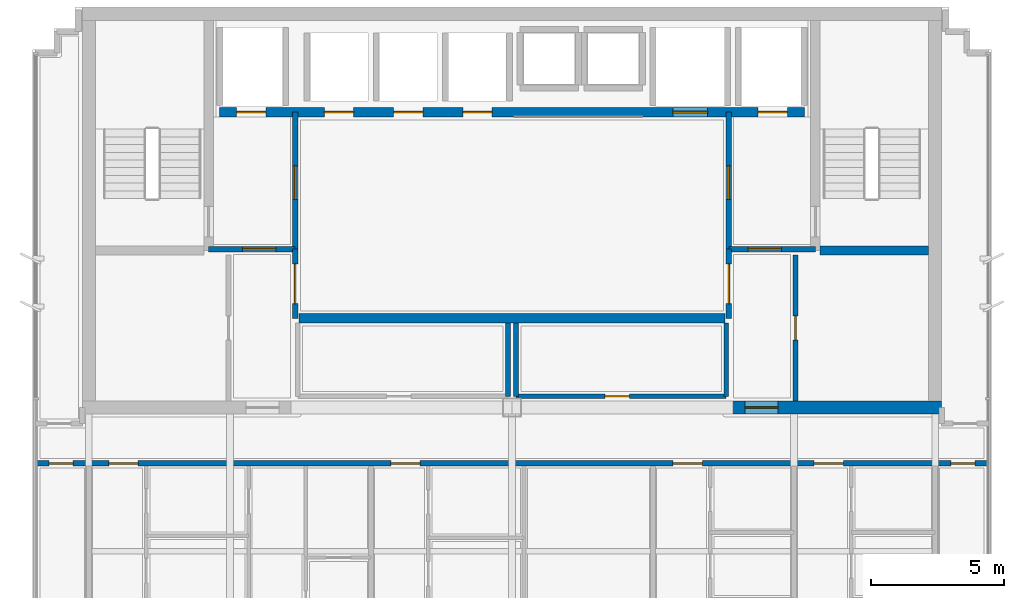
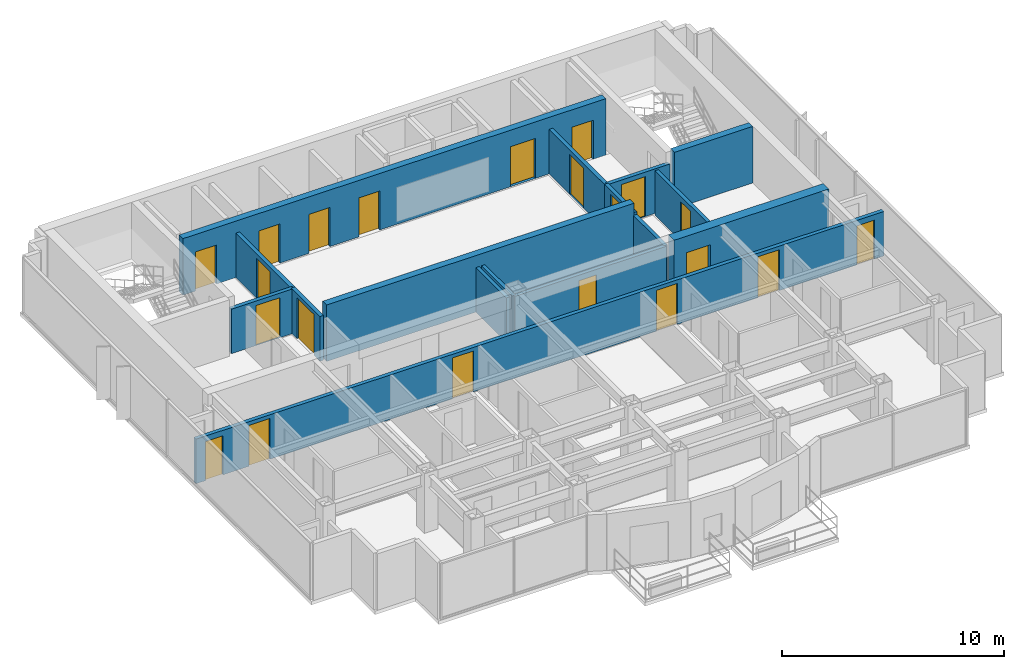
# One storey, part 7 of 10: 21 doors, 16 walls, 21 openings.
"""IFC4 building model written with IfcOpenShell, lengths in metres."""

from ifc_helpers import new_model, si_unit, direction, frame, frame_2d, origin, place, context, subcontext, project, spatial, rectangle, extrude, material, layer, layer_set, type_object, element, fill, save


model = new_model("IFC4")

# Units and contexts
model_context = context("Model", 3, precision=1e-05, world=origin(), true_north=direction((0.0, 1.0)))
body_context = subcontext(model_context, "Body", "Model", "MODEL_VIEW")
ifc_project = project(units=[si_unit("LENGTHUNIT", "METRE"), si_unit("AREAUNIT", "SQUARE_METRE"), si_unit("VOLUMEUNIT", "CUBIC_METRE"), si_unit("PLANEANGLEUNIT", "RADIAN"), si_unit("MASSUNIT", "GRAM", prefix="KILO")], contexts=[model_context])

# Site, building, storey
site_placement = place(None, origin())
site = spatial("IfcSite", under=ifc_project, at=site_placement, CompositionType="ELEMENT")
building_placement = place(site_placement, origin())
building = spatial("IfcBuilding", under=site, at=building_placement, Name="Qianlan Lanfeng Residences", CompositionType="ELEMENT")
storey_placement = place(building_placement, frame((0.0, 0.0, 239.60009765625)))
storey = spatial("IfcBuildingStorey", under=building, at=storey_placement, Name="L66", CompositionType="ELEMENT", Elevation=239.60009765625)

# Wall
ifc_material_1 = material(Name="Concrete C49", Category="concrete")
ifc_layer_1 = layer(ifc_material_1, 0.35009765625)
ifc_layer_set_1 = layer_set([ifc_layer_1], Name="Concrete C49")
wall_type_1 = type_object("IfcWallType", Name="CW-RC-350", PredefinedType="SHEAR", material=ifc_layer_set_1)
wall_1_placement = place(storey_placement, frame((38.074951171875, 31.10009765625, 0.0), z_axis=(0.0, 0.0, 1.0), x_axis=(1.0, 0.0, 0.0)))
element("IfcWall", 1, at=wall_1_placement, inside=storey, type_object=wall_type_1, Name="L66 Core Shear Wall ST2S", PredefinedType="SHEAR", context=body_context, shape_type="SweptSolid", body=[
    extrude(rectangle(XDim=4.074951171875, YDim=0.35009765625, at=frame_2d((2.03759765625, 0.0))), origin(), (0.0, 0.0, 1.0), 3.10986328125),
])

# Wall, openings, doors
wall_2_placement = place(storey_placement, frame((15.5, 36.300048828125, 0.0), z_axis=(0.0, 0.0, 1.0), x_axis=(1.0, 0.0, 0.0)))
wall_2 = element("IfcWall", 2, at=wall_2_placement, inside=storey, type_object=wall_type_1, Name="L66 Core Shear Wall LBN", PredefinedType="SHEAR", context=body_context, shape_type="SweptSolid", body=[
    extrude(rectangle(XDim=22.0, YDim=0.35009765625, at=frame_2d((11.0, 0.0))), origin(), (0.0, 0.0, 1.0), 3.10986328125),
])
opening_1_placement = place(wall_2_placement, frame((0.64990234375, 0.0, 0.0)))
opening_1 = element("IfcOpeningElement", 3, at=opening_1_placement, cuts=wall_2, Name="Opening L66-LD-FFL-1", PredefinedType="OPENING", context=body_context, shape_type="SweptSolid", body=[
    extrude(rectangle(XDim=1.10009765625, YDim=2.14990234375, at=frame_2d((0.550048828125, 1.074951171875))), frame((0.0, 0.18505859375, 0.0), z_axis=(0.0, -1.0, 0.0), x_axis=(1.0, 0.0, 0.0)), (0.0, 0.0, 1.0), 0.3701171875),
])
opening_2_placement = place(wall_2_placement, frame((20.25, 0.0, 0.0)))
opening_2 = element("IfcOpeningElement", 4, at=opening_2_placement, cuts=wall_2, Name="Opening L66-LD-FFL-2", PredefinedType="OPENING", context=body_context, shape_type="SweptSolid", body=[
    extrude(rectangle(XDim=1.10009765625, YDim=2.14990234375, at=frame_2d((0.550048828125, 1.074951171875))), frame((0.0, 0.18505859375, 0.0), z_axis=(0.0, -1.0, 0.0), x_axis=(1.0, 0.0, 0.0)), (0.0, 0.0, 1.0), 0.3701171875),
])
opening_3_placement = place(wall_2_placement, frame((17.050048828125, 0.0, 0.0)))
opening_3 = element("IfcOpeningElement", 5, at=opening_3_placement, cuts=wall_2, Name="Opening L66-LD-SVL-1", PredefinedType="OPENING", context=body_context, shape_type="SweptSolid", body=[
    extrude(rectangle(XDim=1.300048828125, YDim=2.199951171875, at=frame_2d((0.64990234375, 1.10009765625))), frame((0.0, 0.18505859375, 0.0), z_axis=(0.0, -1.0, 0.0), x_axis=(1.0, 0.0, 0.0)), (0.0, 0.0, 1.0), 0.3701171875),
])
opening_4_placement = place(wall_2_placement, frame((3.949951171875, 0.0, 0.0)))
opening_4 = element("IfcOpeningElement", 6, at=opening_4_placement, cuts=wall_2, Name="Opening L66-LD-PL-H1", PredefinedType="OPENING", context=body_context, shape_type="SweptSolid", body=[
    extrude(rectangle(XDim=1.10009765625, YDim=2.14990234375, at=frame_2d((0.550048828125, 1.074951171875))), frame((0.0, 0.18505859375, 0.0), z_axis=(0.0, -1.0, 0.0), x_axis=(1.0, 0.0, 0.0)), (0.0, 0.0, 1.0), 0.3701171875),
])
opening_5_placement = place(wall_2_placement, frame((6.550048828125, 0.0, 0.0)))
opening_5 = element("IfcOpeningElement", 7, at=opening_5_placement, cuts=wall_2, Name="Opening L66-LD-PL-H2", PredefinedType="OPENING", context=body_context, shape_type="SweptSolid", body=[
    extrude(rectangle(XDim=1.10009765625, YDim=2.14990234375, at=frame_2d((0.550048828125, 1.074951171875))), frame((0.0, 0.18505859375, 0.0), z_axis=(0.0, -1.0, 0.0), x_axis=(1.0, 0.0, 0.0)), (0.0, 0.0, 1.0), 0.3701171875),
])
opening_6_placement = place(wall_2_placement, frame((9.14990234375, 0.0, 0.0)))
opening_6 = element("IfcOpeningElement", 8, at=opening_6_placement, cuts=wall_2, Name="Opening L66-LD-PL-H3", PredefinedType="OPENING", context=body_context, shape_type="SweptSolid", body=[
    extrude(rectangle(XDim=1.10009765625, YDim=2.14990234375, at=frame_2d((0.550048828125, 1.074951171875))), frame((0.0, 0.18505859375, 0.0), z_axis=(0.0, -1.0, 0.0), x_axis=(1.0, 0.0, 0.0)), (0.0, 0.0, 1.0), 0.3701171875),
])
ifc_material_2 = material(Name="Brushed Stainless Steel Sliding Lift Door", Category="steel")
door_type_1 = type_object("IfcDoorType", Name="LD-01", OperationType="NOTDEFINED", PredefinedType="DOOR", material=ifc_material_2)
door_1_placement = place(opening_1_placement, frame((1.10009765625, 0.0, 0.0), z_axis=(0.0, 0.0, 1.0), x_axis=(-1.0, 0.0, 0.0)))
door_1 = element("IfcDoor", 9, at=door_1_placement, inside=storey, type_object=door_type_1, Name="L66 Elevator FFL-1 Sliding Landing Door", OperationType="DOUBLE_DOOR_SLIDING", OverallHeight=2.14990234375, OverallWidth=1.10009765625, PredefinedType="DOOR", context=body_context, shape_type="SweptSolid", body=[
    extrude(rectangle(XDim=1.10009765625, YDim=2.14990234375, at=frame_2d((0.550048828125, 1.074951171875))), frame((0.0, 0.02490234375, 0.0), z_axis=(0.0, -1.0, 0.0), x_axis=(1.0, 0.0, 0.0)), (0.0, 0.0, 1.0), 0.050048828125),
])
fill(opening_1, door_1)
door_2_placement = place(opening_2_placement, frame((1.10009765625, 0.0, 0.0), z_axis=(0.0, 0.0, 1.0), x_axis=(-1.0, 0.0, 0.0)))
door_2 = element("IfcDoor", 10, at=door_2_placement, inside=storey, type_object=door_type_1, Name="L66 Elevator FFL-2 Sliding Landing Door", OperationType="DOUBLE_DOOR_SLIDING", OverallHeight=2.14990234375, OverallWidth=1.10009765625, PredefinedType="DOOR", context=body_context, shape_type="SweptSolid", body=[
    extrude(rectangle(XDim=1.10009765625, YDim=2.14990234375, at=frame_2d((0.550048828125, 1.074951171875))), frame((0.0, 0.02490234375, 0.0), z_axis=(0.0, -1.0, 0.0), x_axis=(1.0, 0.0, 0.0)), (0.0, 0.0, 1.0), 0.050048828125),
])
fill(opening_2, door_2)
door_3_placement = place(opening_4_placement, frame((1.10009765625, 0.0, 0.0), z_axis=(0.0, 0.0, 1.0), x_axis=(-1.0, 0.0, 0.0)))
door_3 = element("IfcDoor", 11, at=door_3_placement, inside=storey, type_object=door_type_1, Name="L66 Elevator PL-H1 Sliding Landing Door", OperationType="DOUBLE_DOOR_SLIDING", OverallHeight=2.14990234375, OverallWidth=1.10009765625, PredefinedType="DOOR", context=body_context, shape_type="SweptSolid", body=[
    extrude(rectangle(XDim=1.10009765625, YDim=2.14990234375, at=frame_2d((0.550048828125, 1.074951171875))), frame((0.0, 0.02490234375, 0.0), z_axis=(0.0, -1.0, 0.0), x_axis=(1.0, 0.0, 0.0)), (0.0, 0.0, 1.0), 0.050048828125),
])
fill(opening_4, door_3)
door_4_placement = place(opening_5_placement, frame((1.10009765625, 0.0, 0.0), z_axis=(0.0, 0.0, 1.0), x_axis=(-1.0, 0.0, 0.0)))
door_4 = element("IfcDoor", 12, at=door_4_placement, inside=storey, type_object=door_type_1, Name="L66 Elevator PL-H2 Sliding Landing Door", OperationType="DOUBLE_DOOR_SLIDING", OverallHeight=2.14990234375, OverallWidth=1.10009765625, PredefinedType="DOOR", context=body_context, shape_type="SweptSolid", body=[
    extrude(rectangle(XDim=1.10009765625, YDim=2.14990234375, at=frame_2d((0.550048828125, 1.074951171875))), frame((0.0, 0.02490234375, 0.0), z_axis=(0.0, -1.0, 0.0), x_axis=(1.0, 0.0, 0.0)), (0.0, 0.0, 1.0), 0.050048828125),
])
fill(opening_5, door_4)
door_5_placement = place(opening_6_placement, frame((1.10009765625, 0.0, 0.0), z_axis=(0.0, 0.0, 1.0), x_axis=(-1.0, 0.0, 0.0)))
door_5 = element("IfcDoor", 13, at=door_5_placement, inside=storey, type_object=door_type_1, Name="L66 Elevator PL-H3 Sliding Landing Door", OperationType="DOUBLE_DOOR_SLIDING", OverallHeight=2.14990234375, OverallWidth=1.10009765625, PredefinedType="DOOR", context=body_context, shape_type="SweptSolid", body=[
    extrude(rectangle(XDim=1.10009765625, YDim=2.14990234375, at=frame_2d((0.550048828125, 1.074951171875))), frame((0.0, 0.02490234375, 0.0), z_axis=(0.0, -1.0, 0.0), x_axis=(1.0, 0.0, 0.0)), (0.0, 0.0, 1.0), 0.050048828125),
])
fill(opening_6, door_5)
door_type_2 = type_object("IfcDoorType", Name="LD-02", OperationType="NOTDEFINED", PredefinedType="DOOR", material=ifc_material_2)
door_6_placement = place(opening_3_placement, frame((1.300048828125, 0.0, 0.0), z_axis=(0.0, 0.0, 1.0), x_axis=(-1.0, 0.0, 0.0)))
door_6 = element("IfcDoor", 14, at=door_6_placement, inside=storey, type_object=door_type_2, Name="L66 Elevator SVL-1 Sliding Landing Door", OperationType="DOUBLE_DOOR_SLIDING", OverallHeight=2.199951171875, OverallWidth=1.300048828125, PredefinedType="DOOR", context=body_context, shape_type="SweptSolid", body=[
    extrude(rectangle(XDim=1.300048828125, YDim=2.199951171875, at=frame_2d((0.64990234375, 1.10009765625))), frame((0.0, 0.02490234375, 0.0), z_axis=(0.0, -1.0, 0.0), x_axis=(1.0, 0.0, 0.0)), (0.0, 0.0, 1.0), 0.050048828125),
])
fill(opening_3, door_6)

# Wall
wall_3_placement = place(storey_placement, frame((18.5, 28.550048828125, 0.0), z_axis=(0.0, 0.0, 1.0), x_axis=(1.0, 0.0, 0.0)))
element("IfcWall", 15, at=wall_3_placement, inside=storey, type_object=wall_type_1, Name="L66 Core Shear Wall LBS", PredefinedType="SHEAR", context=body_context, shape_type="SweptSolid", body=[
    extrude(rectangle(XDim=16.0, YDim=0.35009765625, at=frame_2d((8.0, 0.0))), origin(), (0.0, 0.0, 1.0), 3.10986328125),
])

# Wall, opening, door
ifc_material_3 = material(Name="Concrete C70", Category="concrete")
ifc_layer_2 = layer(ifc_material_3, 0.5)
ifc_layer_set_2 = layer_set([ifc_layer_2], Name="Concrete C70")
wall_type_2 = type_object("IfcWallType", Name="CW-RC-500", PredefinedType="SHEAR", material=ifc_layer_set_2)
wall_4_placement = place(storey_placement, frame((34.60009765625, 25.199951171875, 0.0), z_axis=(0.0, 0.0, 1.0), x_axis=(1.0, 0.0, 0.0)))
wall_4 = element("IfcWall", 16, at=wall_4_placement, inside=storey, type_object=wall_type_2, Name="L66 Core Shear Wall SE", PredefinedType="SHEAR", context=body_context, shape_type="SweptSolid", body=[
    extrude(rectangle(XDim=8.0498046875, YDim=0.5, at=frame_2d((4.02490234375, 0.0))), origin(), (0.0, 0.0, 1.0), 3.10986328125),
])
opening_7_placement = place(wall_4_placement, frame((0.64990234375, 0.0, 0.0)))
opening_7 = element("IfcOpeningElement", 17, at=opening_7_placement, cuts=wall_4, Name="Opening L66-D02", PredefinedType="OPENING", context=body_context, shape_type="SweptSolid", body=[
    extrude(rectangle(XDim=1.25, YDim=2.199951171875, at=frame_2d((0.625, 1.10009765625))), frame((0.0, 0.260009765625, 0.0), z_axis=(0.0, -1.0, 0.0), x_axis=(1.0, 0.0, 0.0)), (0.0, 0.0, 1.0), 0.52001953125),
])
ifc_material_4 = material(Name="Painted Galvanised Steel Fire Door", Category="steel")
door_type_3 = type_object("IfcDoorType", Name="DT-FFL", OperationType="NOTDEFINED", PredefinedType="DOOR", material=ifc_material_4)
door_7_placement = place(opening_7_placement, origin())
door_7 = element("IfcDoor", 18, at=door_7_placement, inside=storey, type_object=door_type_3, Name="L66 East Core Lobby Smoke Door L66-D02 (DT-FFL)", OperationType="SINGLE_SWING_LEFT", OverallHeight=2.199951171875, OverallWidth=1.25, PredefinedType="DOOR", context=body_context, shape_type="SweptSolid", body=[
    extrude(rectangle(XDim=1.25, YDim=2.199951171875, at=frame_2d((0.625, 1.10009765625))), frame((0.0, 0.02490234375, 0.0), z_axis=(0.0, -1.0, 0.0), x_axis=(1.0, 0.0, 0.0)), (0.0, 0.0, 1.0), 0.050048828125),
])
fill(opening_7, door_7)

ifc_material_5 = material(Name="Double-Layer Acoustic Gypsum Stud Wall 180 mm")
ifc_layer_3 = layer(ifc_material_5, 0.179931640625)
ifc_layer_set_3 = layer_set([ifc_layer_3], Name="Double-Layer Acoustic Gypsum Stud Wall 180 mm")
wall_type_3 = type_object("IfcWallType", Name="PW-180", PredefinedType="PARTITIONING", material=ifc_layer_set_3)
wall_5_placement = place(storey_placement, frame((37.14990234375, 25.449951171875, 0.0), z_axis=(0.0, 0.0, 1.0), x_axis=(0.0, 1.0, 0.0)))
wall_5 = element("IfcWall", 19, at=wall_5_placement, inside=storey, type_object=wall_type_3, Name="L66 Core East Service Room Wall", PredefinedType="PARTITIONING", context=body_context, shape_type="SweptSolid", body=[
    extrude(rectangle(XDim=5.47509765625, YDim=0.179931640625, at=frame_2d((2.737548828125, 0.0))), origin(), (0.0, 0.0, 1.0), 2.449951171875),
])
opening_8_placement = place(wall_5_placement, frame((2.277099609375, 0.0, 0.0)))
opening_8 = element("IfcOpeningElement", 20, at=opening_8_placement, cuts=wall_5, Name="Opening L66-D10", PredefinedType="OPENING", context=body_context, shape_type="SweptSolid", body=[
    extrude(rectangle(XDim=0.919921875, YDim=2.14990234375, at=frame_2d((0.4599609375, 1.074951171875))), frame((0.0, 0.10009765625, 0.0), z_axis=(0.0, -1.0, 0.0), x_axis=(1.0, 0.0, 0.0)), (0.0, 0.0, 1.0), 0.199951171875),
])
ifc_material_6 = material(Name="Glazed Timber Kitchen/Study Door", Category="wood")
door_type_4 = type_object("IfcDoorType", Name="DT-INT", OperationType="NOTDEFINED", PredefinedType="DOOR", material=ifc_material_6)
door_8_placement = place(opening_8_placement, origin())
door_8 = element("IfcDoor", 21, at=door_8_placement, inside=storey, type_object=door_type_4, Name="L66 Refuse Recycling Door L66-D10 (DT-INT)", OperationType="SINGLE_SWING_LEFT", OverallHeight=2.14990234375, OverallWidth=0.919921875, PredefinedType="DOOR", context=body_context, shape_type="SweptSolid", body=[
    extrude(rectangle(XDim=0.919921875, YDim=2.14990234375, at=frame_2d((0.4599609375, 1.074951171875))), frame((0.0, 0.02490234375, 0.0), z_axis=(0.0, -1.0, 0.0), x_axis=(1.0, 0.0, 0.0)), (0.0, 0.0, 1.0), 0.050048828125),
])
fill(opening_8, door_8)

# Walls
for number, where, z_axis, x_axis, name in (
    (22, (26.35009765625, 25.6201171875, 0.0), (0.0, 0.0, 1.0), (0.0, 1.0, 0.0), "L66 Reclaimed Low-Bank Room East Wall"),
    (23, (26.64990234375, 25.6201171875, 0.0), (0.0, 0.0, 1.0), (0.0, 1.0, 0.0), "L66 Reclaimed Mid-Bank Room West Wall"),
    (24, (34.550048828125, 25.6201171875, 0.0), (0.0, 0.0, 1.0), (0.0, 1.0, 0.0), "L66 Reclaimed Mid-Bank Room East Wall"),
):
    element("IfcWall", number, at=place(storey_placement, frame(where, z_axis=z_axis, x_axis=x_axis)), inside=storey, type_object=wall_type_3, Name=name, PredefinedType="PARTITIONING", context=body_context, shape_type="SweptSolid", body=[
        extrude(rectangle(XDim=2.7548828125, YDim=0.179931640625, at=frame_2d((1.37744140625, 0.0))), origin(), (0.0, 0.0, 1.0), 2.449951171875),
    ])

# Wall, opening, door
wall_6_placement = place(storey_placement, frame((26.64990234375, 25.6201171875, 0.0), z_axis=(0.0, 0.0, 1.0), x_axis=(1.0, 0.0, 0.0)))
wall_6 = element("IfcWall", 25, at=wall_6_placement, inside=storey, type_object=wall_type_3, Name="L66 Reclaimed Mid-Bank Room South Wall", PredefinedType="PARTITIONING", context=body_context, shape_type="SweptSolid", body=[
    extrude(rectangle(XDim=7.900146484375, YDim=0.179931640625, at=frame_2d((3.9501953125, 0.0))), origin(), (0.0, 0.0, 1.0), 2.449951171875),
])
opening_9_placement = place(wall_6_placement, frame((3.340087890625, 0.0, 0.0)))
opening_9 = element("IfcOpeningElement", 26, at=opening_9_placement, cuts=wall_6, Name="Opening L66-D14", PredefinedType="OPENING", context=body_context, shape_type="SweptSolid", body=[
    extrude(rectangle(XDim=0.919921875, YDim=2.14990234375, at=frame_2d((0.4599609375, 1.074951171875))), frame((0.0, 0.10009765625, 0.0), z_axis=(0.0, -1.0, 0.0), x_axis=(1.0, 0.0, 0.0)), (0.0, 0.0, 1.0), 0.199951171875),
])
door_9_placement = place(opening_9_placement, origin())
door_9 = element("IfcDoor", 27, at=door_9_placement, inside=storey, type_object=door_type_4, Name="L66 Reclaimed Mid-Bank Salon Door L66-D14 (DT-INT)", OperationType="SINGLE_SWING_LEFT", OverallHeight=2.14990234375, OverallWidth=0.919921875, PredefinedType="DOOR", context=body_context, shape_type="SweptSolid", body=[
    extrude(rectangle(XDim=0.919921875, YDim=2.14990234375, at=frame_2d((0.4599609375, 1.074951171875))), frame((0.0, 0.02490234375, 0.0), z_axis=(0.0, -1.0, 0.0), x_axis=(1.0, 0.0, 0.0)), (0.0, 0.0, 1.0), 0.050048828125),
])
fill(opening_9, door_9)

ifc_material_7 = material(Name="Autoclaved Aerated Concrete Blockwork 200 mm", Category="masonry")
ifc_layer_4 = layer(ifc_material_7, 0.199951171875)
ifc_layer_set_4 = layer_set([ifc_layer_4], Name="Autoclaved Aerated Concrete Blockwork 200 mm")
wall_type_4 = type_object("IfcWallType", Name="PW-200", PredefinedType="PARTITIONING", material=ifc_layer_set_4)
wall_7_placement = place(storey_placement, frame((15.10009765625, 31.14990234375, 0.0), z_axis=(0.0, 0.0, 1.0), x_axis=(1.0, 0.0, 0.0)))
wall_7 = element("IfcWall", 28, at=wall_7_placement, inside=storey, type_object=wall_type_4, Name="L66 Firefighting Lobby 1 South Wall", PredefinedType="PARTITIONING", context=body_context, shape_type="SweptSolid", body=[
    extrude(rectangle(XDim=3.25, YDim=0.199951171875, at=frame_2d((1.625, 0.0))), origin(), (0.0, 0.0, 1.0), 2.449951171875),
])
opening_10_placement = place(wall_7_placement, frame((1.27490234375, 0.0, 0.0)))
opening_10 = element("IfcOpeningElement", 29, at=opening_10_placement, cuts=wall_7, Name="Opening L66-D03", PredefinedType="OPENING", context=body_context, shape_type="SweptSolid", body=[
    extrude(rectangle(XDim=1.25, YDim=2.199951171875, at=frame_2d((0.625, 1.10009765625))), frame((0.0, 0.10986328125, 0.0), z_axis=(0.0, -1.0, 0.0), x_axis=(1.0, 0.0, 0.0)), (0.0, 0.0, 1.0), 0.219970703125),
])
door_10_placement = place(opening_10_placement, origin())
door_10 = element("IfcDoor", 30, at=door_10_placement, inside=storey, type_object=door_type_3, Name="L66 Firefighting Lobby 1 Entry Door L66-D03 (DT-FFL)", OperationType="SINGLE_SWING_LEFT", OverallHeight=2.199951171875, OverallWidth=1.25, PredefinedType="DOOR", context=body_context, shape_type="SweptSolid", body=[
    extrude(rectangle(XDim=1.25, YDim=2.199951171875, at=frame_2d((0.625, 1.10009765625))), frame((0.0, 0.02490234375, 0.0), z_axis=(0.0, -1.0, 0.0), x_axis=(1.0, 0.0, 0.0)), (0.0, 0.0, 1.0), 0.050048828125),
])
fill(opening_10, door_10)

wall_8_placement = place(storey_placement, frame((18.35009765625, 31.14990234375, 0.0), z_axis=(0.0, 0.0, 1.0), x_axis=(0.0, 1.0, 0.0)))
wall_8 = element("IfcWall", 31, at=wall_8_placement, inside=storey, type_object=wall_type_4, Name="L66 Firefighting Lobby 1 East Wall", PredefinedType="PARTITIONING", context=body_context, shape_type="SweptSolid", body=[
    extrude(rectangle(XDim=5.150146484375, YDim=0.199951171875, at=frame_2d((2.5751953125, 0.0))), origin(), (0.0, 0.0, 1.0), 2.449951171875),
])
opening_11_placement = place(wall_8_placement, frame((1.875, 0.0, 0.0)))
opening_11 = element("IfcOpeningElement", 32, at=opening_11_placement, cuts=wall_8, Name="Opening L66-D04", PredefinedType="OPENING", context=body_context, shape_type="SweptSolid", body=[
    extrude(rectangle(XDim=1.25, YDim=2.199951171875, at=frame_2d((0.625, 1.10009765625))), frame((0.0, 0.10986328125, 0.0), z_axis=(0.0, -1.0, 0.0), x_axis=(1.0, 0.0, 0.0)), (0.0, 0.0, 1.0), 0.219970703125),
])
door_11_placement = place(opening_11_placement, origin())
door_11 = element("IfcDoor", 33, at=door_11_placement, inside=storey, type_object=door_type_3, Name="L66 Firefighting Lobby 1 Lift Lobby Door L66-D04 (DT-FFL)", OperationType="SINGLE_SWING_LEFT", OverallHeight=2.199951171875, OverallWidth=1.25, PredefinedType="DOOR", context=body_context, shape_type="SweptSolid", body=[
    extrude(rectangle(XDim=1.25, YDim=2.199951171875, at=frame_2d((0.625, 1.10009765625))), frame((0.0, 0.02490234375, 0.0), z_axis=(0.0, -1.0, 0.0), x_axis=(1.0, 0.0, 0.0)), (0.0, 0.0, 1.0), 0.050048828125),
])
fill(opening_11, door_11)

wall_9_placement = place(storey_placement, frame((34.64990234375, 31.14990234375, 0.0), z_axis=(0.0, 0.0, 1.0), x_axis=(1.0, 0.0, 0.0)))
wall_9 = element("IfcWall", 34, at=wall_9_placement, inside=storey, type_object=wall_type_4, Name="L66 Firefighting Lobby 2 South Wall", PredefinedType="PARTITIONING", context=body_context, shape_type="SweptSolid", body=[
    extrude(rectangle(XDim=3.25, YDim=0.199951171875, at=frame_2d((1.625, 0.0))), origin(), (0.0, 0.0, 1.0), 2.449951171875),
])
opening_12_placement = place(wall_9_placement, frame((0.72509765625, 0.0, 0.0)))
opening_12 = element("IfcOpeningElement", 35, at=opening_12_placement, cuts=wall_9, Name="Opening L66-D05", PredefinedType="OPENING", context=body_context, shape_type="SweptSolid", body=[
    extrude(rectangle(XDim=1.25, YDim=2.199951171875, at=frame_2d((0.625, 1.10009765625))), frame((0.0, 0.10986328125, 0.0), z_axis=(0.0, -1.0, 0.0), x_axis=(1.0, 0.0, 0.0)), (0.0, 0.0, 1.0), 0.219970703125),
])
door_12_placement = place(opening_12_placement, origin())
door_12 = element("IfcDoor", 36, at=door_12_placement, inside=storey, type_object=door_type_3, Name="L66 Firefighting Lobby 2 Entry Door L66-D05 (DT-FFL)", OperationType="SINGLE_SWING_RIGHT", OverallHeight=2.199951171875, OverallWidth=1.25, PredefinedType="DOOR", context=body_context, shape_type="SweptSolid", body=[
    extrude(rectangle(XDim=1.25, YDim=2.199951171875, at=frame_2d((0.625, 1.10009765625))), frame((0.0, 0.02490234375, 0.0), z_axis=(0.0, -1.0, 0.0), x_axis=(1.0, 0.0, 0.0)), (0.0, 0.0, 1.0), 0.050048828125),
])
fill(opening_12, door_12)

wall_10_placement = place(storey_placement, frame((34.64990234375, 31.14990234375, 0.0), z_axis=(0.0, 0.0, 1.0), x_axis=(0.0, 1.0, 0.0)))
wall_10 = element("IfcWall", 37, at=wall_10_placement, inside=storey, type_object=wall_type_4, Name="L66 Firefighting Lobby 2 West Wall", PredefinedType="PARTITIONING", context=body_context, shape_type="SweptSolid", body=[
    extrude(rectangle(XDim=5.150146484375, YDim=0.199951171875, at=frame_2d((2.5751953125, 0.0))), origin(), (0.0, 0.0, 1.0), 2.449951171875),
])
opening_13_placement = place(wall_10_placement, frame((1.875, 0.0, 0.0)))
opening_13 = element("IfcOpeningElement", 38, at=opening_13_placement, cuts=wall_10, Name="Opening L66-D06", PredefinedType="OPENING", context=body_context, shape_type="SweptSolid", body=[
    extrude(rectangle(XDim=1.25, YDim=2.199951171875, at=frame_2d((0.625, 1.10009765625))), frame((0.0, 0.10986328125, 0.0), z_axis=(0.0, -1.0, 0.0), x_axis=(1.0, 0.0, 0.0)), (0.0, 0.0, 1.0), 0.219970703125),
])
door_13_placement = place(opening_13_placement, origin())
door_13 = element("IfcDoor", 39, at=door_13_placement, inside=storey, type_object=door_type_3, Name="L66 Firefighting Lobby 2 Lift Lobby Door L66-D06 (DT-FFL)", OperationType="SINGLE_SWING_LEFT", OverallHeight=2.199951171875, OverallWidth=1.25, PredefinedType="DOOR", context=body_context, shape_type="SweptSolid", body=[
    extrude(rectangle(XDim=1.25, YDim=2.199951171875, at=frame_2d((0.625, 1.10009765625))), frame((0.0, 0.02490234375, 0.0), z_axis=(0.0, -1.0, 0.0), x_axis=(1.0, 0.0, 0.0)), (0.0, 0.0, 1.0), 0.050048828125),
])
fill(opening_13, door_13)

wall_11_placement = place(storey_placement, frame((18.35009765625, 28.550048828125, 0.0), z_axis=(0.0, 0.0, 1.0), x_axis=(0.0, 1.0, 0.0)))
wall_11 = element("IfcWall", 40, at=wall_11_placement, inside=storey, type_object=wall_type_4, Name="L66 Lift Lobby West Connector Wall", PredefinedType="PARTITIONING", context=body_context, shape_type="SweptSolid", body=[
    extrude(rectangle(XDim=2.599853515625, YDim=0.199951171875, at=frame_2d((1.2998046875, 0.0))), origin(), (0.0, 0.0, 1.0), 2.449951171875),
])
opening_14_placement = place(wall_11_placement, frame((0.550048828125, 0.0, 0.0)))
opening_14 = element("IfcOpeningElement", 41, at=opening_14_placement, cuts=wall_11, Name="Opening L66-D11", PredefinedType="OPENING", context=body_context, shape_type="SweptSolid", body=[
    extrude(rectangle(XDim=1.5, YDim=2.25, at=frame_2d((0.75, 1.125))), frame((0.0, 0.10986328125, 0.0), z_axis=(0.0, -1.0, 0.0), x_axis=(1.0, 0.0, 0.0)), (0.0, 0.0, 1.0), 0.219970703125),
])
ifc_material_8 = material(Name="Timber Veneer Acoustic Fire Door", Category="wood")
door_type_5 = type_object("IfcDoorType", Name="DT-COR1", OperationType="NOTDEFINED", PredefinedType="DOOR", material=ifc_material_8)
door_14_placement = place(opening_14_placement, origin())
door_14 = element("IfcDoor", 42, at=door_14_placement, inside=storey, type_object=door_type_5, Name="L66 Lift Lobby West Portal Door L66-D11 (DT-COR1)", OperationType="DOUBLE_DOOR_SINGLE_SWING", OverallHeight=2.25, OverallWidth=1.5, PredefinedType="DOOR", context=body_context, shape_type="SweptSolid", body=[
    extrude(rectangle(XDim=1.5, YDim=2.25, at=frame_2d((0.75, 1.125))), frame((0.0, 0.02490234375, 0.0), z_axis=(0.0, -1.0, 0.0), x_axis=(1.0, 0.0, 0.0)), (0.0, 0.0, 1.0), 0.050048828125),
])
fill(opening_14, door_14)

wall_12_placement = place(storey_placement, frame((34.64990234375, 28.550048828125, 0.0), z_axis=(0.0, 0.0, 1.0), x_axis=(0.0, 1.0, 0.0)))
wall_12 = element("IfcWall", 43, at=wall_12_placement, inside=storey, type_object=wall_type_4, Name="L66 Lift Lobby East Connector Wall", PredefinedType="PARTITIONING", context=body_context, shape_type="SweptSolid", body=[
    extrude(rectangle(XDim=2.599853515625, YDim=0.199951171875, at=frame_2d((1.2998046875, 0.0))), origin(), (0.0, 0.0, 1.0), 2.449951171875),
])
opening_15_placement = place(wall_12_placement, frame((0.550048828125, 0.0, 0.0)))
opening_15 = element("IfcOpeningElement", 44, at=opening_15_placement, cuts=wall_12, Name="Opening L66-D12", PredefinedType="OPENING", context=body_context, shape_type="SweptSolid", body=[
    extrude(rectangle(XDim=1.5, YDim=2.25, at=frame_2d((0.75, 1.125))), frame((0.0, 0.10986328125, 0.0), z_axis=(0.0, -1.0, 0.0), x_axis=(1.0, 0.0, 0.0)), (0.0, 0.0, 1.0), 0.219970703125),
])
door_15_placement = place(opening_15_placement, frame((1.5, 0.0, 0.0), z_axis=(0.0, 0.0, 1.0), x_axis=(-1.0, 0.0, 0.0)))
door_15 = element("IfcDoor", 45, at=door_15_placement, inside=storey, type_object=door_type_5, Name="L66 Lift Lobby East Portal Door L66-D12 (DT-COR1)", OperationType="DOUBLE_DOOR_SINGLE_SWING", OverallHeight=2.25, OverallWidth=1.5, PredefinedType="DOOR", context=body_context, shape_type="SweptSolid", body=[
    extrude(rectangle(XDim=1.5, YDim=2.25, at=frame_2d((0.75, 1.125))), frame((0.0, 0.02490234375, 0.0), z_axis=(0.0, -1.0, 0.0), x_axis=(1.0, 0.0, 0.0)), (0.0, 0.0, 1.0), 0.050048828125),
])
fill(opening_15, door_15)

# Wall, openings, doors
wall_13_placement = place(storey_placement, frame((8.60009765625, 23.10009765625, 0.0), z_axis=(0.0, 0.0, 1.0), x_axis=(1.0, 0.0, 0.0)))
wall_13 = element("IfcWall", 46, at=wall_13_placement, inside=storey, type_object=wall_type_4, Name="L66 Residential Corridor South Fire Wall", PredefinedType="PARTITIONING", context=body_context, shape_type="SweptSolid", body=[
    extrude(rectangle(XDim=35.7998046875, YDim=0.199951171875, at=frame_2d((17.89990234375, 0.0))), origin(), (0.0, 0.0, 1.0), 2.449951171875),
])
opening_16_placement = place(wall_13_placement, frame((2.75, 0.0, 0.0)))
opening_16 = element("IfcOpeningElement", 47, at=opening_16_placement, cuts=wall_13, Name="Opening L66-D15", PredefinedType="OPENING", context=body_context, shape_type="SweptSolid", body=[
    extrude(rectangle(XDim=1.10009765625, YDim=2.25, at=frame_2d((0.550048828125, 1.125))), frame((0.0, 0.10986328125, 0.0), z_axis=(0.0, -1.0, 0.0), x_axis=(1.0, 0.0, 0.0)), (0.0, 0.0, 1.0), 0.219970703125),
])
opening_17_placement = place(wall_13_placement, frame((13.35009765625, 0.0, 0.0)))
opening_17 = element("IfcOpeningElement", 48, at=opening_17_placement, cuts=wall_13, Name="Opening L66-D23", PredefinedType="OPENING", context=body_context, shape_type="SweptSolid", body=[
    extrude(rectangle(XDim=1.10009765625, YDim=2.25, at=frame_2d((0.550048828125, 1.125))), frame((0.0, 0.10986328125, 0.0), z_axis=(0.0, -1.0, 0.0), x_axis=(1.0, 0.0, 0.0)), (0.0, 0.0, 1.0), 0.219970703125),
])
opening_18_placement = place(wall_13_placement, frame((23.949951171875, 0.0, 0.0)))
opening_18 = element("IfcOpeningElement", 49, at=opening_18_placement, cuts=wall_13, Name="Opening L66-D28", PredefinedType="OPENING", context=body_context, shape_type="SweptSolid", body=[
    extrude(rectangle(XDim=1.10009765625, YDim=2.25, at=frame_2d((0.550048828125, 1.125))), frame((0.0, 0.10986328125, 0.0), z_axis=(0.0, -1.0, 0.0), x_axis=(1.0, 0.0, 0.0)), (0.0, 0.0, 1.0), 0.219970703125),
])
opening_19_placement = place(wall_13_placement, frame((29.25, 0.0, 0.0)))
opening_19 = element("IfcOpeningElement", 50, at=opening_19_placement, cuts=wall_13, Name="Opening L66-D31", PredefinedType="OPENING", context=body_context, shape_type="SweptSolid", body=[
    extrude(rectangle(XDim=1.10009765625, YDim=2.25, at=frame_2d((0.550048828125, 1.125))), frame((0.0, 0.10986328125, 0.0), z_axis=(0.0, -1.0, 0.0), x_axis=(1.0, 0.0, 0.0)), (0.0, 0.0, 1.0), 0.219970703125),
])
opening_20_placement = place(wall_13_placement, frame((0.5048828125, 0.0, 0.0)))
opening_20 = element("IfcOpeningElement", 51, at=opening_20_placement, cuts=wall_13, Name="Opening L66-D35", PredefinedType="OPENING", context=body_context, shape_type="SweptSolid", body=[
    extrude(rectangle(XDim=0.89990234375, YDim=2.14990234375, at=frame_2d((0.449951171875, 1.074951171875))), frame((0.0, 0.10986328125, 0.0), z_axis=(0.0, -1.0, 0.0), x_axis=(1.0, 0.0, 0.0)), (0.0, 0.0, 1.0), 0.219970703125),
])
opening_21_placement = place(wall_13_placement, frame((34.39501953125, 0.0, 0.0)))
opening_21 = element("IfcOpeningElement", 52, at=opening_21_placement, cuts=wall_13, Name="Opening L66-D37", PredefinedType="OPENING", context=body_context, shape_type="SweptSolid", body=[
    extrude(rectangle(XDim=0.89990234375, YDim=2.14990234375, at=frame_2d((0.449951171875, 1.074951171875))), frame((0.0, 0.10986328125, 0.0), z_axis=(0.0, -1.0, 0.0), x_axis=(1.0, 0.0, 0.0)), (0.0, 0.0, 1.0), 0.219970703125),
])
ifc_material_9 = material(Name="Solid-Core Oak Veneer Fire Door")
door_type_6 = type_object("IfcDoorType", Name="DT-UNIT", OperationType="NOTDEFINED", PredefinedType="DOOR", material=ifc_material_9)
door_16_placement = place(opening_16_placement, origin())
door_16 = element("IfcDoor", 53, at=door_16_placement, inside=storey, type_object=door_type_6, Name="L66 Apartment U01 Entrance Door L66-D15 (DT-UNIT)", OperationType="SINGLE_SWING_RIGHT", OverallHeight=2.25, OverallWidth=1.10009765625, PredefinedType="DOOR", context=body_context, shape_type="SweptSolid", body=[
    extrude(rectangle(XDim=1.10009765625, YDim=2.25, at=frame_2d((0.550048828125, 1.125))), frame((0.0, 0.02490234375, 0.0), z_axis=(0.0, -1.0, 0.0), x_axis=(1.0, 0.0, 0.0)), (0.0, 0.0, 1.0), 0.050048828125),
])
fill(opening_16, door_16)
door_17_placement = place(opening_17_placement, origin())
door_17 = element("IfcDoor", 54, at=door_17_placement, inside=storey, type_object=door_type_6, Name="L66 Apartment U02 Entrance Door L66-D23 (DT-UNIT)", OperationType="SINGLE_SWING_RIGHT", OverallHeight=2.25, OverallWidth=1.10009765625, PredefinedType="DOOR", context=body_context, shape_type="SweptSolid", body=[
    extrude(rectangle(XDim=1.10009765625, YDim=2.25, at=frame_2d((0.550048828125, 1.125))), frame((0.0, 0.02490234375, 0.0), z_axis=(0.0, -1.0, 0.0), x_axis=(1.0, 0.0, 0.0)), (0.0, 0.0, 1.0), 0.050048828125),
])
fill(opening_17, door_17)
door_18_placement = place(opening_18_placement, frame((1.10009765625, 0.0, 0.0), z_axis=(0.0, 0.0, 1.0), x_axis=(-1.0, 0.0, 0.0)))
door_18 = element("IfcDoor", 55, at=door_18_placement, inside=storey, type_object=door_type_6, Name="L66 Apartment U03 Entrance Door L66-D28 (DT-UNIT)", OperationType="SINGLE_SWING_RIGHT", OverallHeight=2.25, OverallWidth=1.10009765625, PredefinedType="DOOR", context=body_context, shape_type="SweptSolid", body=[
    extrude(rectangle(XDim=1.10009765625, YDim=2.25, at=frame_2d((0.550048828125, 1.125))), frame((0.0, 0.02490234375, 0.0), z_axis=(0.0, -1.0, 0.0), x_axis=(1.0, 0.0, 0.0)), (0.0, 0.0, 1.0), 0.050048828125),
])
fill(opening_18, door_18)
door_19_placement = place(opening_19_placement, origin())
door_19 = element("IfcDoor", 56, at=door_19_placement, inside=storey, type_object=door_type_6, Name="L66 Apartment U04 Entrance Door L66-D31 (DT-UNIT)", OperationType="SINGLE_SWING_RIGHT", OverallHeight=2.25, OverallWidth=1.10009765625, PredefinedType="DOOR", context=body_context, shape_type="SweptSolid", body=[
    extrude(rectangle(XDim=1.10009765625, YDim=2.25, at=frame_2d((0.550048828125, 1.125))), frame((0.0, 0.02490234375, 0.0), z_axis=(0.0, -1.0, 0.0), x_axis=(1.0, 0.0, 0.0)), (0.0, 0.0, 1.0), 0.050048828125),
])
fill(opening_19, door_19)
ifc_material_10 = material(Name="Moisture-Resistant Timber Leaf", Category="wood")
door_type_7 = type_object("IfcDoorType", Name="DT-WC", OperationType="NOTDEFINED", PredefinedType="DOOR", material=ifc_material_10)
door_20_placement = place(opening_20_placement, frame((0.89990234375, 0.0, 0.0), z_axis=(0.0, 0.0, 1.0), x_axis=(-1.0, 0.0, 0.0)))
door_20 = element("IfcDoor", 57, at=door_20_placement, inside=storey, type_object=door_type_7, Name="L66 SWP Corridor Door L66-D35 (DT-WC)", OperationType="SINGLE_SWING_LEFT", OverallHeight=2.14990234375, OverallWidth=0.89990234375, PredefinedType="DOOR", context=body_context, shape_type="SweptSolid", body=[
    extrude(rectangle(XDim=0.89990234375, YDim=2.14990234375, at=frame_2d((0.449951171875, 1.074951171875))), frame((0.0, 0.02490234375, 0.0), z_axis=(0.0, -1.0, 0.0), x_axis=(1.0, 0.0, 0.0)), (0.0, 0.0, 1.0), 0.050048828125),
])
fill(opening_20, door_20)
door_21_placement = place(opening_21_placement, origin())
door_21 = element("IfcDoor", 58, at=door_21_placement, inside=storey, type_object=door_type_7, Name="L66 SEP Corridor Door L66-D37 (DT-WC)", OperationType="SINGLE_SWING_RIGHT", OverallHeight=2.14990234375, OverallWidth=0.89990234375, PredefinedType="DOOR", context=body_context, shape_type="SweptSolid", body=[
    extrude(rectangle(XDim=0.89990234375, YDim=2.14990234375, at=frame_2d((0.449951171875, 1.074951171875))), frame((0.0, 0.02490234375, 0.0), z_axis=(0.0, -1.0, 0.0), x_axis=(1.0, 0.0, 0.0)), (0.0, 0.0, 1.0), 0.050048828125),
])
fill(opening_21, door_21)

save(model, "model.ifc")
